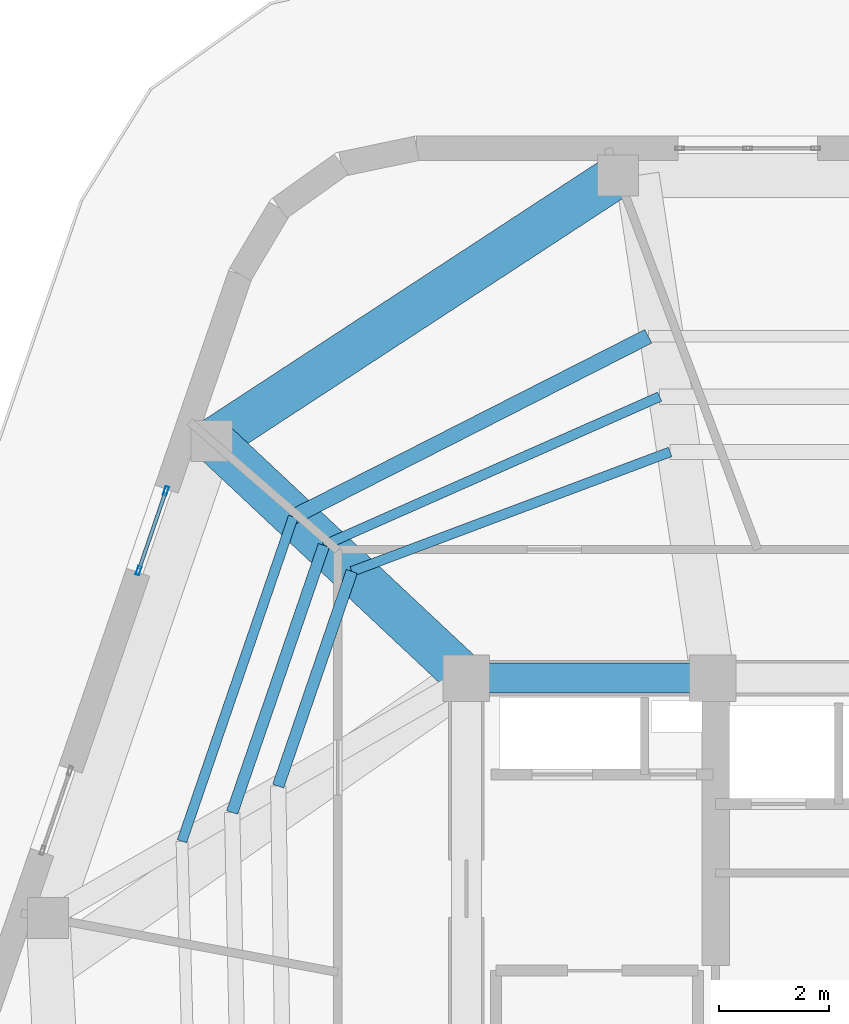
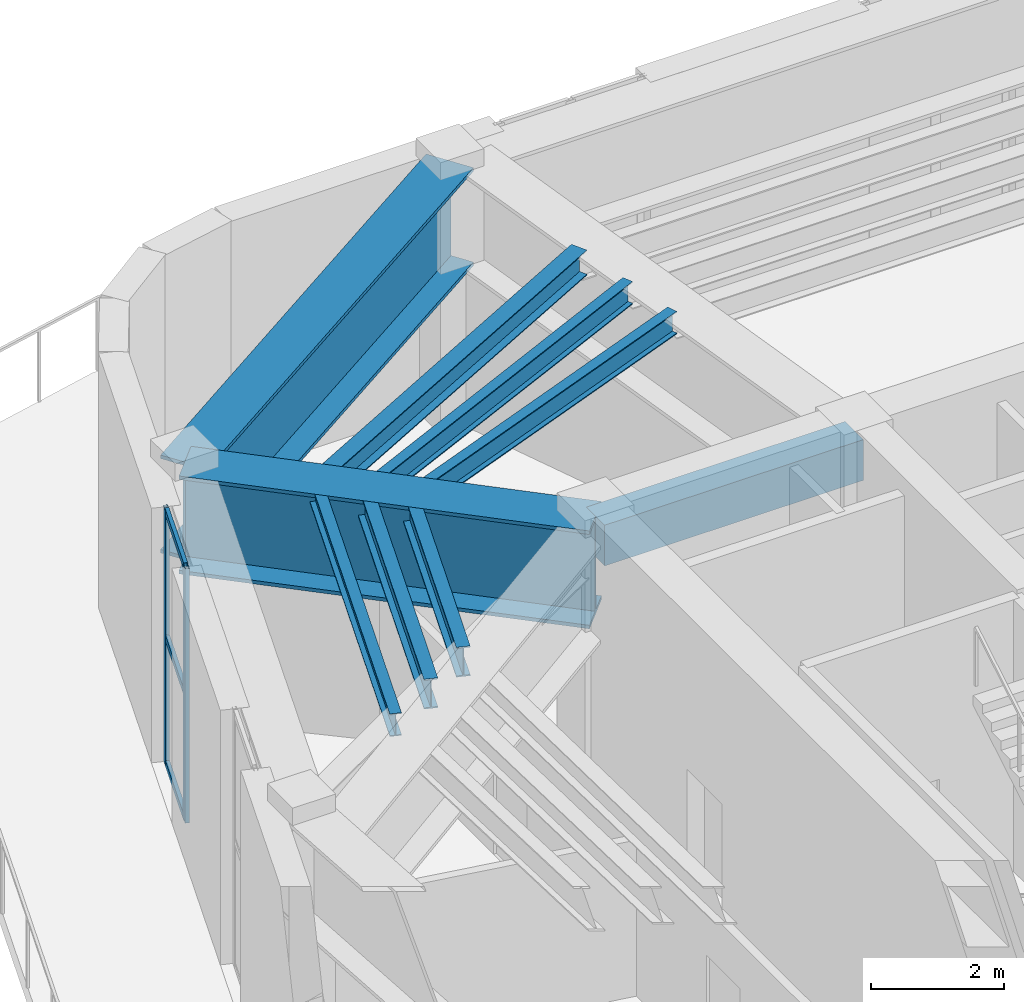
# One storey, part 9 of 24: 9 beams, 5 members, 1 element without a shape of its own.
"""IFC4 building model written with IfcOpenShell, lengths in metres."""

from ifc_helpers import new_model, si_unit, direction, frame, origin, origin_2d, place, context, subcontext, project, spatial, rectangle, hollow_rectangle, i_section, extrude, material, layer, layer_set, material_profile, profile_set, type_object, element, aggregate, save


model = new_model("IFC4")

# Units and contexts
model_context = context("Model", 3, precision=1e-05, world=origin(), true_north=direction((0.0, 1.0)))
body_context = subcontext(model_context, "Body", "Model", "MODEL_VIEW")
ifc_project = project(units=[si_unit("LENGTHUNIT", "METRE"), si_unit("AREAUNIT", "SQUARE_METRE"), si_unit("VOLUMEUNIT", "CUBIC_METRE"), si_unit("PLANEANGLEUNIT", "RADIAN"), si_unit("MASSUNIT", "GRAM", prefix="KILO")], contexts=[model_context])

# Site, building, storey
site_placement = place(None, origin())
site = spatial("IfcSite", under=ifc_project, at=site_placement, CompositionType="ELEMENT")
building_placement = place(site_placement, origin())
building = spatial("IfcBuilding", under=site, at=building_placement, Name="Kilnhurst Terrace Hotel", CompositionType="ELEMENT")
storey_placement = place(building_placement, frame((0.0, 0.0, 305.39990234375)))
storey = spatial("IfcBuildingStorey", under=building, at=storey_placement, Name="L76", CompositionType="ELEMENT", Elevation=305.39990234375)

# Beams
ifc_material_1 = material(Name="Concrete C50/60", Category="concrete")
ifc_material_profile_1 = material_profile(ifc_material_1, rectangle(XDim=0.550048828125, YDim=0.75, at=origin_2d()), Name="RC550X750")
ifc_profile_set_1 = profile_set([ifc_material_profile_1], Name="Concrete C50/60")
beam_type_1 = type_object("IfcBeamType", Name="BM-SPN-550X750", PredefinedType="SPANDREL", material=ifc_profile_set_1)
beam_1_placement = place(storey_placement, frame((-9.0, 7.5, 4.30517578125), z_axis=(1.0, 0.0, 0.0), x_axis=(0.0, 1.0, 0.0)))
element("IfcBeam", 1, at=beam_1_placement, inside=storey, type_object=beam_type_1, Name="L76 Core Tie Beam CC-NW to CC-NC1", PredefinedType="SPANDREL", context=body_context, shape_type="SweptSolid", body=[
    extrude(rectangle(XDim=0.550048828125, YDim=0.75, at=origin_2d()), origin(), (0.0, 0.0, 1.0), 4.5),
])
ifc_material_2 = material(Name="Steel ASTM A992 Grade 50", Category="steel")
ifc_material_profile_2 = material_profile(ifc_material_2, i_section(OverallWidth=0.180908203125, OverallDepth=0.417236328125, WebThickness=0.010986328125, FlangeThickness=0.018310546875, at=origin_2d()), Name="W16X57")
ifc_profile_set_2 = profile_set([ifc_material_profile_2], Name="Steel ASTM A992 Grade 50")
beam_type_2 = type_object("IfcBeamType", Name="JST-STL-W16X57", PredefinedType="JOIST", material=ifc_profile_set_2)
beam_2_placement = place(storey_placement, frame((-12.163330078125, 10.445068359375, 4.47119140625), z_axis=(-0.324518654094, -0.945879296287, 0.0), x_axis=(0.945879296287, -0.324518654094, 0.0)))
element("IfcBeam", 2, at=beam_2_placement, inside=storey, type_object=beam_type_2, Name="L76 Secondary Floor Steel Joist OUT.9", PredefinedType="JOIST", context=body_context, shape_type="SweptSolid", body=[
    extrude(i_section(OverallWidth=0.180908203125, OverallDepth=0.417236328125, WebThickness=0.010986328125, FlangeThickness=0.018310546875, at=origin_2d()), origin(), (0.0, 0.0, 1.0), 6.262939453125),
])
beam_3_placement = place(storey_placement, frame((-5.2802734375, 11.631103515625, 4.47119140625), z_axis=(-0.936214403551, -0.351429353616, 0.0), x_axis=(0.351429353616, -0.936214403551, 0.0)))
element("IfcBeam", 3, at=beam_3_placement, inside=storey, type_object=beam_type_2, Name="L76 Secondary Floor Steel Joist IN.8", PredefinedType="JOIST", context=body_context, shape_type="SweptSolid", body=[
    extrude(i_section(OverallWidth=0.180908203125, OverallDepth=0.417236328125, WebThickness=0.010986328125, FlangeThickness=0.018310546875, at=origin_2d()), origin(), (0.0, 0.0, 1.0), 6.209228515625),
])
beam_4_placement = place(storey_placement, frame((-5.470947265625, 12.640869140625, 4.47119140625), z_axis=(-0.914400393666, -0.404810968308, 0.0), x_axis=(0.404810968308, -0.914400393666, 0.0)))
element("IfcBeam", 4, at=beam_4_placement, inside=storey, type_object=beam_type_2, Name="L76 Secondary Floor Steel Joist MID.8", PredefinedType="JOIST", context=body_context, shape_type="SweptSolid", body=[
    extrude(i_section(OverallWidth=0.180908203125, OverallDepth=0.417236328125, WebThickness=0.010986328125, FlangeThickness=0.018310546875, at=origin_2d()), origin(), (0.0, 0.0, 1.0), 6.708251953125),
])
ifc_material_profile_3 = material_profile(ifc_material_2, i_section(OverallWidth=0.279296875, OverallDepth=0.462890625, WebThickness=0.0107421875, FlangeThickness=0.017333984375, at=origin_2d()), Name="W18X76")
ifc_profile_set_3 = profile_set([ifc_material_profile_3], Name="Steel ASTM A992 Grade 50")
beam_type_3 = type_object("IfcBeamType", Name="JST-STL-W18X76", PredefinedType="JOIST", material=ifc_profile_set_3)
beam_5_placement = place(storey_placement, frame((-5.67919921875, 13.742431640625, 4.447998046875), z_axis=(-0.891365824321, -0.453284642617, 0.0), x_axis=(0.453284642617, -0.891365824321, 0.0)))
element("IfcBeam", 5, at=beam_5_placement, inside=storey, type_object=beam_type_3, Name="L76 Secondary Floor Steel Joist OUT.8", PredefinedType="JOIST", context=body_context, shape_type="SweptSolid", body=[
    extrude(i_section(OverallWidth=0.279296875, OverallDepth=0.462890625, WebThickness=0.0107421875, FlangeThickness=0.017333984375, at=origin_2d()), origin(), (0.0, 0.0, 1.0), 7.2744140625),
])
ifc_material_profile_4 = material_profile(ifc_material_2, i_section(OverallWidth=0.2138671875, OverallDepth=0.549072265625, WebThickness=0.0146484375, FlangeThickness=0.023681640625, at=origin_2d()), Name="W21X93")
ifc_profile_set_4 = profile_set([ifc_material_profile_4], Name="Steel ASTM A992 Grade 50")
beam_type_4 = type_object("IfcBeamType", Name="JST-STL-W21X93", PredefinedType="JOIST", material=ifc_profile_set_4)
beam_6_placement = place(storey_placement, frame((-11.093505859375, 9.448974609375, 4.405029296875), z_axis=(-0.32450352684, -0.945884486113, 0.0), x_axis=(0.945884486113, -0.32450352684, 0.0)))
element("IfcBeam", 6, at=beam_6_placement, inside=storey, type_object=beam_type_4, Name="L76 Secondary Floor Steel Joist IN.9", PredefinedType="JOIST", context=body_context, shape_type="SweptSolid", body=[
    extrude(i_section(OverallWidth=0.2138671875, OverallDepth=0.549072265625, WebThickness=0.0146484375, FlangeThickness=0.023681640625, at=origin_2d()), origin(), (0.0, 0.0, 1.0), 4.144775390625),
])
beam_7_placement = place(storey_placement, frame((-11.60498046875, 9.92529296875, 4.405029296875), z_axis=(-0.324565129839, -0.945863349799, 0.0), x_axis=(0.945863349799, -0.324565129839, 0.0)))
element("IfcBeam", 7, at=beam_7_placement, inside=storey, type_object=beam_type_4, Name="L76 Secondary Floor Steel Joist MID.9", PredefinedType="JOIST", context=body_context, shape_type="SweptSolid", body=[
    extrude(i_section(OverallWidth=0.2138671875, OverallDepth=0.549072265625, WebThickness=0.0146484375, FlangeThickness=0.023681640625, at=origin_2d()), origin(), (0.0, 0.0, 1.0), 5.157958984375),
])

# Curtain wall, members
ifc_material_3 = material(Name="Anodized Aluminium Alloy 6063-T6 and Low-E Glass", Category="aluminium")
ifc_layer = layer(ifc_material_3, 0.219970703125, Name="Anodized Aluminium Alloy 6063-T6 and Low-E Glass")
ifc_layer_set = layer_set([ifc_layer], Name="Anodized Aluminium Alloy 6063-T6 and Low-E Glass")
curtain_wall_type = type_object("IfcCurtainWallType", Name="CW-OBS-CROWN", PredefinedType="NOTDEFINED", material=ifc_layer_set)
curtain_wall_placement = place(storey_placement, origin())
curtain_wall = element("IfcCurtainWall", 8, at=curtain_wall_placement, inside=storey, type_object=curtain_wall_type, Name="L76 Curtain Wall CW-L76-F5-1", PredefinedType="NOTDEFINED")
ifc_material_4 = material(Name="Extruded Aluminium Alloy 6063-T6", Category="aluminium")
ifc_material_profile_5 = material_profile(ifc_material_4, hollow_rectangle(XDim=0.06494140625, YDim=0.1650390625, WallThickness=0.00341796875, at=origin_2d()), Name="CWM65X165")
ifc_profile_set_5 = profile_set([ifc_material_profile_5], Name="Extruded Aluminium Alloy 6063-T6")
member_type_1 = type_object("IfcMemberType", Name="MEM-CWM65X165", PredefinedType="MULLION", material=ifc_profile_set_5)
member_1_placement = place(storey_placement, frame((-14.487548828125, 10.919921875, 0.0), z_axis=(0.0, 0.0, 1.0), x_axis=(0.945886945462, -0.324496358075, 0.0)))
member_1 = element("IfcMember", 9, at=member_1_placement, type_object=member_type_1, Name="CWO-6 mullion 1", PredefinedType="MULLION", context=body_context, shape_type="SweptSolid", body=[
    extrude(hollow_rectangle(XDim=0.06494140625, YDim=0.1650390625, WallThickness=0.00341796875, at=origin_2d()), origin(), (0.0, 0.0, 1.0), 4.68017578125),
])
member_2_placement = place(storey_placement, frame((-14.987060546875, 9.463134765625, 0.0), z_axis=(0.0, 0.0, 1.0), x_axis=(0.945886945462, -0.324496358075, 0.0)))
member_2 = element("IfcMember", 10, at=member_2_placement, type_object=member_type_1, Name="CWO-6 mullion 2", PredefinedType="MULLION", context=body_context, shape_type="SweptSolid", body=[
    extrude(hollow_rectangle(XDim=0.06494140625, YDim=0.1650390625, WallThickness=0.00341796875, at=origin_2d()), origin(), (0.0, 0.0, 1.0), 4.68017578125),
])
ifc_material_profile_6 = material_profile(ifc_material_4, hollow_rectangle(XDim=0.06494140625, YDim=0.1201171875, WallThickness=0.00341796875, at=origin_2d()), Name="CWT65X120")
ifc_profile_set_6 = profile_set([ifc_material_profile_6], Name="Extruded Aluminium Alloy 6063-T6")
member_type_2 = type_object("IfcMemberType", Name="MEM-CWT65X120", PredefinedType="USERDEFINED", material=ifc_profile_set_6)
member_3_placement = place(storey_placement, frame((-14.498046875, 10.88916015625, 0.03271484375), z_axis=(-0.324408954393, -0.945916925692, 0.0), x_axis=(0.945916925692, -0.324408954393, 0.0)))
member_3 = element("IfcMember", 11, at=member_3_placement, type_object=member_type_2, Name="CWO-6 transom 1.1", ObjectType="TRANSOM", PredefinedType="USERDEFINED", context=body_context, shape_type="SweptSolid", body=[
    extrude(hollow_rectangle(XDim=0.06494140625, YDim=0.1201171875, WallThickness=0.00341796875, at=origin_2d()), origin(), (0.0, 0.0, 1.0), 1.47509765625),
])
member_4_placement = place(storey_placement, frame((-14.498046875, 10.88916015625, 2.340087890625), z_axis=(-0.324408954393, -0.945916925692, 0.0), x_axis=(0.945916925692, -0.324408954393, 0.0)))
member_4 = element("IfcMember", 12, at=member_4_placement, type_object=member_type_2, Name="CWO-6 transom 1.2", ObjectType="TRANSOM", PredefinedType="USERDEFINED", context=body_context, shape_type="SweptSolid", body=[
    extrude(hollow_rectangle(XDim=0.06494140625, YDim=0.1201171875, WallThickness=0.00341796875, at=origin_2d()), origin(), (0.0, 0.0, 1.0), 1.47509765625),
])
member_5_placement = place(storey_placement, frame((-14.498046875, 10.88916015625, 4.647705078125), z_axis=(-0.324408954393, -0.945916925692, 0.0), x_axis=(0.945916925692, -0.324408954393, 0.0)))
member_5 = element("IfcMember", 13, at=member_5_placement, type_object=member_type_2, Name="CWO-6 transom 1.3", ObjectType="TRANSOM", PredefinedType="USERDEFINED", context=body_context, shape_type="SweptSolid", body=[
    extrude(hollow_rectangle(XDim=0.06494140625, YDim=0.1201171875, WallThickness=0.00341796875, at=origin_2d()), origin(), (0.0, 0.0, 1.0), 1.47509765625),
])
aggregate(curtain_wall, [member_1, member_2, member_3, member_4, member_5])

# Beams
ifc_material_5 = material(Name="Steel ASTM A572 Grade 50", Category="steel")
ifc_material_profile_7 = material_profile(ifc_material_5, i_section(OverallWidth=0.800048828125, OverallDepth=1.800048828125, WebThickness=0.0400390625, FlangeThickness=0.06494140625, at=origin_2d()), Name="PG1800X800")
ifc_profile_set_7 = profile_set([ifc_material_profile_7], Name="Steel ASTM A572 Grade 50")
beam_type_5 = type_object("IfcBeamType", Name="TG-STEP-1800", PredefinedType="USERDEFINED", material=ifc_profile_set_7)
beam_8_placement = place(storey_placement, frame((-6.23388671875, 16.679931640625, 3.780029296875), z_axis=(-0.837046768673, -0.547131343512, 0.0), x_axis=(0.547131343512, -0.837046768673, 0.0)))
element("IfcBeam", 14, at=beam_8_placement, inside=storey, type_object=beam_type_5, Name="L76 Zone Step Perimeter Transfer Girder 8", ObjectType="GIRDER", PredefinedType="USERDEFINED", context=body_context, shape_type="SweptSolid", body=[
    extrude(i_section(OverallWidth=0.800048828125, OverallDepth=1.800048828125, WebThickness=0.0400390625, FlangeThickness=0.06494140625, at=origin_2d()), origin(), (0.0, 0.0, 1.0), 8.8623046875),
])
beam_9_placement = place(storey_placement, frame((-9.0, 7.5, 3.780029296875), z_axis=(-0.729480853969, 0.684001230768, 0.0), x_axis=(-0.684001230768, -0.729480853969, 0.0)))
element("IfcBeam", 15, at=beam_9_placement, inside=storey, type_object=beam_type_5, Name="L76 Zone Step Radial Transfer Girder 9", ObjectType="GIRDER", PredefinedType="USERDEFINED", context=body_context, shape_type="SweptSolid", body=[
    extrude(i_section(OverallWidth=0.800048828125, OverallDepth=1.800048828125, WebThickness=0.0400390625, FlangeThickness=0.06494140625, at=origin_2d()), origin(), (0.0, 0.0, 1.0), 6.3505859375),
])

save(model, "model.ifc")
